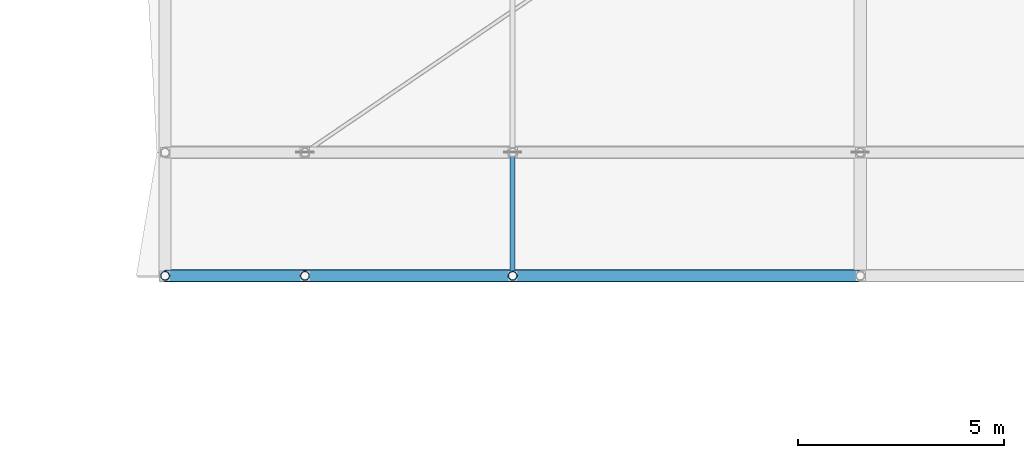
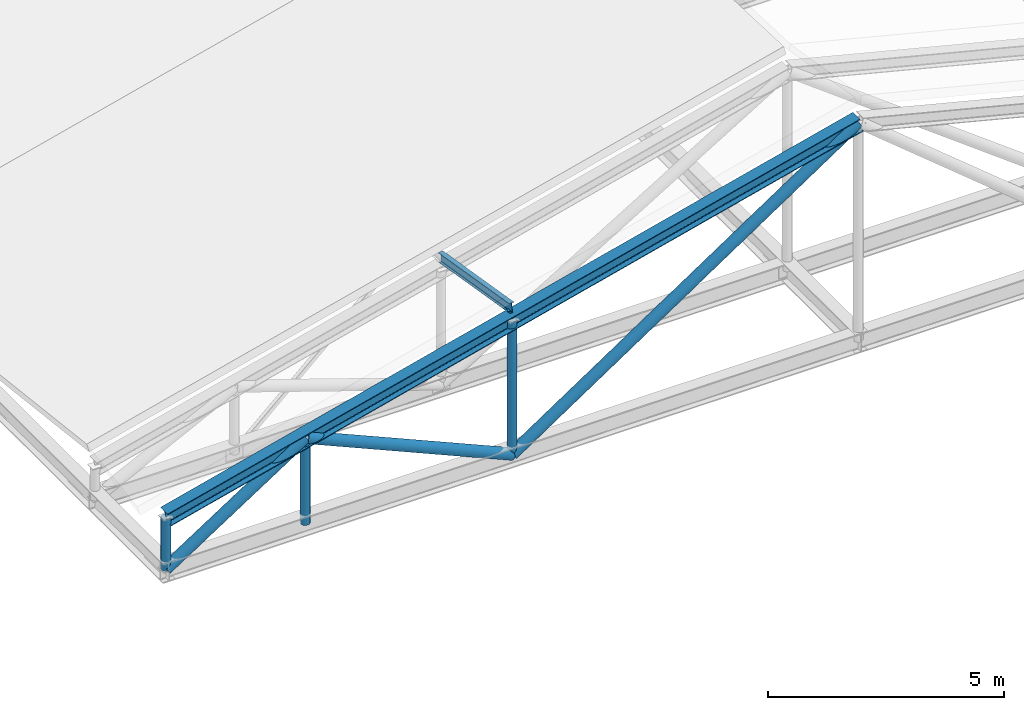
# One storey, part 25 of 56: 8 members.
"""IFC4 building model written with IfcOpenShell, lengths in metres."""

from ifc_helpers import new_model, si_unit, direction, frame, origin, origin_2d, place, context, subcontext, project, spatial, hollow_circle, i_section, extrude, material, material_profile, profile_set, type_object, element, save


model = new_model("IFC4")

# Units and contexts
model_context = context("Model", 3, precision=1e-05, world=origin(), true_north=direction((0.0, 1.0)))
body_context = subcontext(model_context, "Body", "Model", "MODEL_VIEW")
ifc_project = project(units=[si_unit("LENGTHUNIT", "METRE"), si_unit("AREAUNIT", "SQUARE_METRE"), si_unit("VOLUMEUNIT", "CUBIC_METRE"), si_unit("PLANEANGLEUNIT", "RADIAN"), si_unit("MASSUNIT", "GRAM", prefix="KILO")], contexts=[model_context])

# Site, building, storey
site_placement = place(None, origin())
site = spatial("IfcSite", under=ifc_project, at=site_placement, CompositionType="ELEMENT")
building_placement = place(site_placement, origin())
building = spatial("IfcBuilding", under=site, at=building_placement, Name="Bozkorgan Art Gallery", CompositionType="ELEMENT")
storey_placement = place(building_placement, frame((0.0, 0.0, 24.0)))
storey = spatial("IfcBuildingStorey", under=building, at=storey_placement, Name="L05", CompositionType="ELEMENT", Elevation=24.0)

# Members
ifc_material = material(Name="Steel S355J2", Category="steel")
ifc_material_profile_1 = material_profile(ifc_material, hollow_circle(Radius=0.109619140625, WallThickness=0.010009765625, at=origin_2d()), Name="CHS 219.1x10")
ifc_profile_set_1 = profile_set([ifc_material_profile_1], Name="Steel S355J2")
member_type_1 = type_object("IfcMemberType", Name="MEMBER-PO-77", PredefinedType="POST", material=ifc_profile_set_1)
member_1_placement = place(storey_placement, frame((133.60009765625, 63.0, 0.25), z_axis=(0.0, 0.0, 1.0), x_axis=(1.0, 0.0, 0.0)))
element("IfcMember", 1, at=member_1_placement, inside=storey, type_object=member_type_1, Name="ROOF-V5-MAIN roof truss 1 post 0", PredefinedType="POST", context=body_context, shape_type="SweptSolid", body=[
    extrude(hollow_circle(Radius=0.109619140625, WallThickness=0.010009765625, at=origin_2d()), origin(), (0.0, 0.0, 1.0), 1.34130859375),
])
member_2_placement = place(storey_placement, frame((137.0, 63.0, 0.25), z_axis=(0.0, 0.0, 1.0), x_axis=(1.0, 0.0, 0.0)))
element("IfcMember", 2, at=member_2_placement, inside=storey, type_object=member_type_1, Name="ROOF-V5-MAIN roof truss 1 post 1", PredefinedType="POST", context=body_context, shape_type="SweptSolid", body=[
    extrude(hollow_circle(Radius=0.109619140625, WallThickness=0.010009765625, at=origin_2d()), origin(), (0.0, 0.0, 1.0), 2.20166015625),
])
member_3_placement = place(storey_placement, frame((142.050048828125, 63.0, 0.25), z_axis=(0.0, 0.0, 1.0), x_axis=(1.0, 0.0, 0.0)))
element("IfcMember", 3, at=member_3_placement, inside=storey, type_object=member_type_1, Name="ROOF-V5-MAIN roof truss 1 post 2", PredefinedType="POST", context=body_context, shape_type="SweptSolid", body=[
    extrude(hollow_circle(Radius=0.109619140625, WallThickness=0.010009765625, at=origin_2d()), origin(), (0.0, 0.0, 1.0), 3.4794921875),
])
ifc_material_profile_2 = material_profile(ifc_material, i_section(OverallWidth=0.1201171875, OverallDepth=0.239990234375, WebThickness=0.006103515625, FlangeThickness=0.009765625, FilletRadius=0.014892578125, at=origin_2d()), Name="IPE 240")
ifc_profile_set_2 = profile_set([ifc_material_profile_2], Name="Steel S355J2")
member_type_2 = type_object("IfcMemberType", Name="MEMBER-PR-34", PredefinedType="PURLIN", material=ifc_profile_set_2)
member_4_placement = place(storey_placement, frame((142.050048828125, 63.0, 4.0244140625), z_axis=(0.0, 0.986315715321, -0.164867552024), x_axis=(-1.0, 0.0, 0.0)))
element("IfcMember", 4, at=member_4_placement, inside=storey, type_object=member_type_2, Name="ROOF-V5-MAIN roof purlin 1W", PredefinedType="PURLIN", context=body_context, shape_type="SweptSolid", body=[
    extrude(i_section(OverallWidth=0.1201171875, OverallDepth=0.239990234375, WebThickness=0.006103515625, FlangeThickness=0.009765625, FilletRadius=0.014892578125, at=origin_2d()), origin(), (0.0, 0.0, 1.0), 3.04150390625),
])
ifc_material_profile_3 = material_profile(ifc_material, i_section(OverallWidth=0.300048828125, OverallDepth=0.35009765625, WebThickness=0.010009765625, FlangeThickness=0.017578125, FilletRadius=0.027099609375, at=origin_2d()), Name="HEA 360")
ifc_profile_set_3 = profile_set([ifc_material_profile_3], Name="Steel S355J2")
member_type_3 = type_object("IfcMemberType", Name="MEMBER-TC-31", PredefinedType="CHORD", material=ifc_profile_set_3)
member_5_placement = place(storey_placement, frame((133.60009765625, 63.0, 1.59130859375), z_axis=(0.969444879631, 0.0, 0.245309244339), x_axis=(0.0, 1.0, 0.0)))
element("IfcMember", 5, at=member_5_placement, inside=storey, type_object=member_type_3, Name="ROOF-V5-MAIN roof truss 1 west top chord", PredefinedType="CHORD", context=body_context, shape_type="SweptSolid", body=[
    extrude(i_section(OverallWidth=0.300048828125, OverallDepth=0.35009765625, WebThickness=0.010009765625, FlangeThickness=0.017578125, FilletRadius=0.027099609375, at=origin_2d()), origin(), (0.0, 0.0, 1.0), 17.4326171875),
])
ifc_material_profile_4 = material_profile(ifc_material, hollow_circle(Radius=0.136474609375, WallThickness=0.012451171875, at=origin_2d()), Name="CHS 273x12.5")
ifc_profile_set_4 = profile_set([ifc_material_profile_4], Name="Steel S355J2")
member_type_4 = type_object("IfcMemberType", Name="MEMBER-TW-28", PredefinedType="BRACE", material=ifc_profile_set_4)
member_6_placement = place(storey_placement, frame((133.60009765625, 63.0, 0.25), z_axis=(0.839376050635, 0.0, 0.543551143518), x_axis=(0.0, 1.0, 0.0)))
element("IfcMember", 6, at=member_6_placement, inside=storey, type_object=member_type_4, Name="ROOF-V5-MAIN roof truss 1 diagonal 1", PredefinedType="BRACE", context=body_context, shape_type="SweptSolid", body=[
    extrude(hollow_circle(Radius=0.136474609375, WallThickness=0.012451171875, at=origin_2d()), origin(), (0.0, 0.0, 1.0), 4.050537109375),
])
member_7_placement = place(storey_placement, frame((137.0, 63.0, 2.45166015625), z_axis=(0.916672238227, 0.0, -0.399639847442), x_axis=(0.0, 1.0, 0.0)))
element("IfcMember", 7, at=member_7_placement, inside=storey, type_object=member_type_4, Name="ROOF-V5-MAIN roof truss 1 diagonal 2", PredefinedType="BRACE", context=body_context, shape_type="SweptSolid", body=[
    extrude(hollow_circle(Radius=0.136474609375, WallThickness=0.012451171875, at=origin_2d()), origin(), (0.0, 0.0, 1.0), 5.509033203125),
])
member_8_placement = place(storey_placement, frame((142.050048828125, 63.0, 0.25), z_axis=(0.832760323551, 0.0, 0.553633672674), x_axis=(0.0, 1.0, 0.0)))
element("IfcMember", 8, at=member_8_placement, inside=storey, type_object=member_type_4, Name="ROOF-V5-MAIN roof truss 1 diagonal 3", PredefinedType="BRACE", context=body_context, shape_type="SweptSolid", body=[
    extrude(hollow_circle(Radius=0.136474609375, WallThickness=0.012451171875, at=origin_2d()), origin(), (0.0, 0.0, 1.0), 10.14697265625),
])

save(model, "model.ifc")
